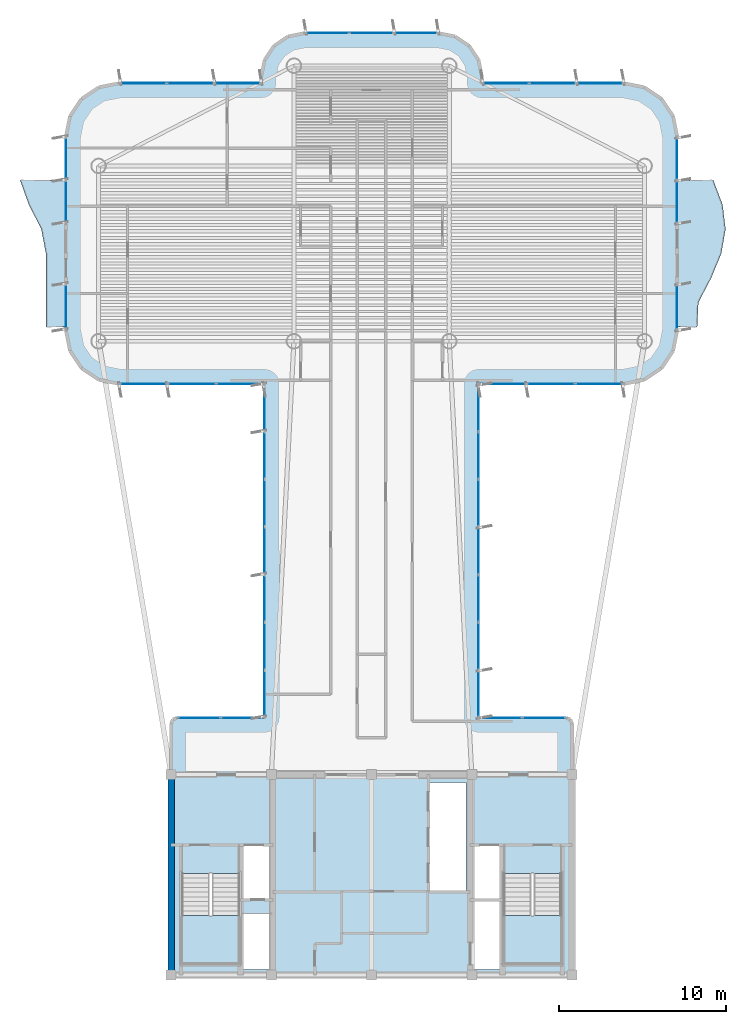
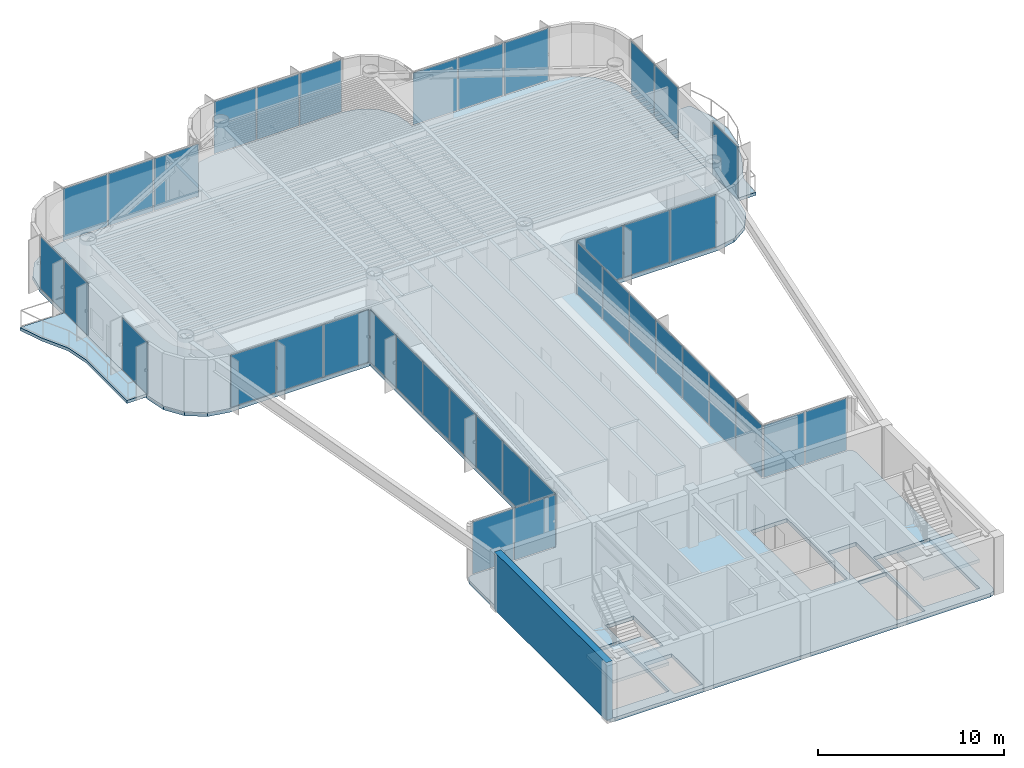
# One storey, part 9 of 15: 39 plates, 5 slabs, 1 wall, 15 elements without a shape of their own.
"""IFC4 building model written with IfcOpenShell, lengths in metres."""

from ifc_helpers import new_model, si_unit, direction, frame, frame_2d, origin, origin_2d, place, context, subcontext, project, spatial, polyline, rectangle, outline, extrude, source, transform, mapped, material, layer, layer_set, type_object, element, aggregate, save


model = new_model("IFC4")

# Units and contexts
model_context = context("Model", 3, precision=1e-05, world=origin(), true_north=direction((0.0, 1.0)))
body_context = subcontext(model_context, "Body", "Model", "MODEL_VIEW")
ifc_project = project(units=[si_unit("LENGTHUNIT", "METRE"), si_unit("AREAUNIT", "SQUARE_METRE"), si_unit("VOLUMEUNIT", "CUBIC_METRE"), si_unit("PLANEANGLEUNIT", "RADIAN"), si_unit("MASSUNIT", "GRAM", prefix="KILO")], contexts=[model_context])

# Site, building, storey
site_placement = place(None, origin())
site = spatial("IfcSite", under=ifc_project, at=site_placement, CompositionType="ELEMENT")
building_placement = place(site_placement, origin())
building = spatial("IfcBuilding", under=site, at=building_placement, Name="Brelvock Crest Care Tower", CompositionType="ELEMENT")
storey_placement = place(building_placement, frame((0.0, 0.0, 272.159912109375)))
storey = spatial("IfcBuildingStorey", under=building, at=storey_placement, Name="L69", CompositionType="ELEMENT", Elevation=272.159912109375)

# Slabs
ifc_material_1 = material(Name="Concrete N50 (50 MPa)", Category="concrete")
ifc_layer_1 = layer(ifc_material_1, 0.22998046875, Name="SLB-FL4")
ifc_layer_set_1 = layer_set([ifc_layer_1], Name="Concrete N50 (50 MPa)")
slab_type_1 = type_object("IfcSlabType", Name="SLB-FL4", PredefinedType="FLOOR", material=ifc_layer_set_1)
slab_1_placement = place(storey_placement, frame((0.0, 0.0, -0.25)))
element("IfcSlab", 1, at=slab_1_placement, inside=storey, type_object=slab_type_1, Name="L69 Main Structural Slab", PredefinedType="FLOOR", context=body_context, shape_type="SweptSolid", body=[
    extrude(outline(polyline([(47.64990234375, 21.39990234375), (42.39990234375, 21.39990234375), (42.39990234375, 41.39990234375), (51.10009765625, 41.39990234375), (52.32470703125, 41.6435546875), (53.36279296875, 42.33740234375), (54.056396484375, 43.37548828125), (54.300048828125, 44.60009765625), (54.300048828125, 56.199951171875), (54.056396484375, 57.424560546875), (53.36279296875, 58.462646484375), (52.32470703125, 59.156494140625), (51.10009765625, 59.39990234375), (42.60009765625, 59.39990234375), (42.60009765625, 59.800048828125), (42.402099609375, 60.794921875), (41.83837890625, 61.638427734375), (40.9951171875, 62.2021484375), (40.0, 62.39990234375), (32.0, 62.39990234375), (31.0048828125, 62.2021484375), (30.16162109375, 61.638427734375), (29.597900390625, 60.794921875), (29.39990234375, 59.800048828125), (29.39990234375, 59.39990234375), (20.89990234375, 59.39990234375), (19.67529296875, 59.156494140625), (18.63720703125, 58.462646484375), (17.943603515625, 57.424560546875), (17.699951171875, 56.199951171875), (17.699951171875, 44.60009765625), (17.943603515625, 43.37548828125), (18.63720703125, 42.33740234375), (19.67529296875, 41.6435546875), (20.89990234375, 41.39990234375), (29.60009765625, 41.39990234375), (29.60009765625, 21.39990234375), (24.35009765625, 21.39990234375), (24.1025390625, 21.297607421875), (24.0, 21.050048828125), (24.0, 6.35009765625), (24.1025390625, 6.1025390625), (24.35009765625, 6.0), (47.64990234375, 6.0), (47.8974609375, 6.1025390625), (48.0, 6.35009765625), (48.0, 21.050048828125), (47.8974609375, 21.297607421875), (47.64990234375, 21.39990234375)]), holes=[polyline([(28.239990234375, 10.580078125), (29.97998046875, 10.580078125), (29.97998046875, 13.739990234375), (28.239990234375, 13.739990234375), (28.239990234375, 10.580078125)]), polyline([(42.02001953125, 10.580078125), (43.760009765625, 10.580078125), (43.760009765625, 13.739990234375), (42.02001953125, 13.739990234375), (42.02001953125, 10.580078125)]), polyline([(28.239990234375, 6.340087890625), (29.97998046875, 6.340087890625), (29.97998046875, 9.64990234375), (28.239990234375, 9.64990234375), (28.239990234375, 6.340087890625)]), polyline([(24.6298828125, 12.080078125), (24.6298828125, 6.699951171875), (28.110107421875, 6.699951171875), (28.110107421875, 12.080078125), (24.6298828125, 12.080078125)]), polyline([(43.889892578125, 12.080078125), (43.889892578125, 6.699951171875), (47.3701171875, 6.699951171875), (47.3701171875, 12.080078125), (43.889892578125, 12.080078125)]), polyline([(42.02001953125, 6.340087890625), (43.760009765625, 6.340087890625), (43.760009765625, 10.5), (42.02001953125, 10.5), (42.02001953125, 6.340087890625)]), polyline([(39.429931640625, 11.030029296875), (41.669921875, 11.030029296875), (41.669921875, 17.52001953125), (39.429931640625, 17.52001953125), (39.429931640625, 11.030029296875)])]), origin(), (0.0, 0.0, 1.0), 0.25),
])
ifc_layer_2 = layer(ifc_material_1, 0.199951171875, Name="SLB-WB2")
ifc_layer_set_2 = layer_set([ifc_layer_2], Name="Concrete N50 (50 MPa)")
slab_type_2 = type_object("IfcSlabType", Name="SLB-WB2", PredefinedType="FLOOR", material=ifc_layer_set_2)
slab_2_placement = place(storey_placement, frame((0.0, 0.0, -0.199951171875)))
element("IfcSlab", 2, at=slab_2_placement, inside=storey, type_object=slab_type_2, Name="L69 W Sinusoidal Wave Balcony Slab", PredefinedType="FLOOR", context=body_context, shape_type="SweptSolid", body=[
    extrude(outline(polyline([(17.699951171875, 53.60009765625), (14.947021484375, 53.60009765625), (15.47509765625, 52.13330078125), (16.220703125, 50.666748046875), (16.5, 49.199951171875), (16.5, 47.7333984375), (16.5, 46.2666015625), (16.5, 44.800048828125), (17.699951171875, 44.800048828125), (17.699951171875, 53.60009765625)])), origin(), (0.0, 0.0, 1.0), 0.199951171875),
])
slab_3_placement = place(storey_placement, frame((0.0, 0.0, -0.199951171875)))
element("IfcSlab", 3, at=slab_3_placement, inside=storey, type_object=slab_type_2, Name="L69 E Sinusoidal Wave Balcony Slab", PredefinedType="FLOOR", context=body_context, shape_type="SweptSolid", body=[
    extrude(outline(polyline([(54.300048828125, 44.800048828125), (55.5, 44.800048828125), (55.5693359375, 46.2666015625), (56.333740234375, 47.7333984375), (56.942138671875, 49.199951171875), (57.197998046875, 50.666748046875), (57.01904296875, 52.13330078125), (56.462890625, 53.60009765625), (54.300048828125, 53.60009765625), (54.300048828125, 44.800048828125)])), origin(), (0.0, 0.0, 1.0), 0.199951171875),
])

# Stair, slab
ifc_material_2 = material(Name="Concrete N40 (40 MPa)", Category="concrete")
stair_type = type_object("IfcStairType", Name="ST-CORE1", PredefinedType="HALF_TURN_STAIR", material=ifc_material_2)
stair_1_placement = place(storey_placement, origin())
stair_1 = element("IfcStair", 4, at=stair_1_placement, inside=storey, type_object=stair_type, Name="L69 Fire-Isolated Core Stair ST-1", PredefinedType="HALF_TURN_STAIR")
ifc_layer_3 = layer(ifc_material_2, 0.199951171875, Name="STL-1")
ifc_layer_set_3 = layer_set([ifc_layer_3], Name="Concrete N40 (40 MPa)")
slab_type_3 = type_object("IfcSlabType", Name="STL-1", PredefinedType="LANDING", material=ifc_layer_set_3)
slab_4_placement = place(storey_placement, frame((0.0, 0.0, 1.690185546875)))
slab_4 = element("IfcSlab", 5, at=slab_4_placement, type_object=slab_type_3, Name="ST-1 landing 1", PredefinedType="LANDING", context=body_context, shape_type="SweptSolid", body=[
    extrude(outline(polyline([(24.6298828125, 9.56005859375), (24.6298828125, 6.699951171875), (28.110107421875, 6.699951171875), (28.110107421875, 9.56005859375), (24.6298828125, 9.56005859375)])), origin(), (0.0, 0.0, 1.0), 0.199951171875),
])
aggregate(stair_1, [slab_4])

stair_2_placement = place(storey_placement, origin())
stair_2 = element("IfcStair", 6, at=stair_2_placement, inside=storey, type_object=stair_type, Name="L69 Fire-Isolated Core Stair ST-2", PredefinedType="HALF_TURN_STAIR")
slab_5_placement = place(storey_placement, frame((0.0, 0.0, 1.690185546875)))
slab_5 = element("IfcSlab", 7, at=slab_5_placement, type_object=slab_type_3, Name="ST-2 landing 1", PredefinedType="LANDING", context=body_context, shape_type="SweptSolid", body=[
    extrude(outline(polyline([(43.889892578125, 9.56005859375), (43.889892578125, 6.699951171875), (47.3701171875, 6.699951171875), (47.3701171875, 9.56005859375), (43.889892578125, 9.56005859375)])), origin(), (0.0, 0.0, 1.0), 0.199951171875),
])
aggregate(stair_2, [slab_5])

# Curtain wall, plates
ifc_material_3 = material(Name="Dark Glass Double Glazed Low-E", Category="glass")
ifc_layer_4 = layer(ifc_material_3, 0.239990234375, Name="CWS-5")
ifc_layer_set_4 = layer_set([ifc_layer_4], Name="Dark Glass Double Glazed Low-E")
curtain_wall_type = type_object("IfcCurtainWallType", Name="CWS-5", PredefinedType="NOTDEFINED", material=ifc_layer_set_4)
curtain_wall_1_placement = place(storey_placement, origin())
curtain_wall_1 = element("IfcCurtainWall", 8, at=curtain_wall_1_placement, inside=storey, type_object=curtain_wall_type, Name="L69 Curtain Wall E10", PredefinedType="NOTDEFINED")
ifc_layer_5 = layer(ifc_material_3, 0.0380859375, Name="CWP-V2")
ifc_layer_set_5 = layer_set([ifc_layer_5], Name="Dark Glass Double Glazed Low-E")
plate_type = type_object("IfcPlateType", Name="CWP-V2", PredefinedType="CURTAIN_PANEL", material=ifc_layer_set_5)
shared_shape_1 = source(origin(), body_context, "Body", "SweptSolid", [
    extrude(rectangle(XDim=2.534912109375, YDim=0.035888671875, at=origin_2d()), origin(), (0.0, 0.0, 1.0), 3.409912109375),
])
plate_1_placement = place(storey_placement, frame((25.677490234375, 21.39990234375, 0.06005859375), z_axis=(0.0, 0.0, 1.0), x_axis=(1.0, 0.0, 0.0)))
plate_1 = element("IfcPlate", 9, at=plate_1_placement, type_object=plate_type, Name="CW-5 panel 1.1", PredefinedType="CURTAIN_PANEL", context=body_context, shape_type="MappedRepresentation", body=[
    mapped(shared_shape_1, transform((0.0, 0.0, 0.0), x_axis=(1.0, 0.0, 0.0), y_axis=(0.0, 1.0, 0.0), z_axis=(0.0, 0.0, 1.0), scale=1.0)),
])
plate_2_placement = place(storey_placement, frame((28.2724609375, 21.39990234375, 0.06005859375), z_axis=(0.0, 0.0, 1.0), x_axis=(1.0, 0.0, 0.0)))
plate_2 = element("IfcPlate", 10, at=plate_2_placement, type_object=plate_type, Name="CW-5 panel 2.1", PredefinedType="CURTAIN_PANEL", context=body_context, shape_type="MappedRepresentation", body=[
    mapped(shared_shape_1, transform((0.0, 0.0, 0.0), x_axis=(1.0, 0.0, 0.0), y_axis=(0.0, 1.0, 0.0), z_axis=(0.0, 0.0, 1.0), scale=1.0)),
])
aggregate(curtain_wall_1, [plate_1, plate_2])

curtain_wall_2_placement = place(storey_placement, origin())
curtain_wall_2 = element("IfcCurtainWall", 11, at=curtain_wall_2_placement, inside=storey, type_object=curtain_wall_type, Name="L69 Curtain Wall E46", PredefinedType="NOTDEFINED")
plate_3_placement = place(storey_placement, frame((43.7275390625, 21.39990234375, 0.06005859375), z_axis=(0.0, 0.0, 1.0), x_axis=(1.0, 0.0, 0.0)))
plate_3 = element("IfcPlate", 12, at=plate_3_placement, type_object=plate_type, Name="CW-5 panel 1.1", PredefinedType="CURTAIN_PANEL", context=body_context, shape_type="MappedRepresentation", body=[
    mapped(shared_shape_1, transform((0.0, 0.0, 0.0), x_axis=(1.0, 0.0, 0.0), y_axis=(0.0, 1.0, 0.0), z_axis=(0.0, 0.0, 1.0), scale=1.0)),
])
plate_4_placement = place(storey_placement, frame((46.322509765625, 21.39990234375, 0.06005859375), z_axis=(0.0, 0.0, 1.0), x_axis=(1.0, 0.0, 0.0)))
plate_4 = element("IfcPlate", 13, at=plate_4_placement, type_object=plate_type, Name="CW-5 panel 2.1", PredefinedType="CURTAIN_PANEL", context=body_context, shape_type="MappedRepresentation", body=[
    mapped(shared_shape_1, transform((0.0, 0.0, 0.0), x_axis=(1.0, 0.0, 0.0), y_axis=(0.0, 1.0, 0.0), z_axis=(0.0, 0.0, 1.0), scale=1.0)),
])
aggregate(curtain_wall_2, [plate_3, plate_4])

curtain_wall_3_placement = place(storey_placement, origin())
curtain_wall_3 = element("IfcCurtainWall", 14, at=curtain_wall_3_placement, inside=storey, type_object=curtain_wall_type, Name="L69 Curtain Wall E17B", PredefinedType="NOTDEFINED")
shared_shape_2 = source(origin(), body_context, "Body", "SweptSolid", [
    extrude(rectangle(XDim=2.510009765625, YDim=0.035888671875, at=origin_2d()), origin(), (0.0, 0.0, 1.0), 3.409912109375),
])
plate_5_placement = place(storey_placement, frame((17.699951171875, 52.31494140625, 0.06005859375), z_axis=(0.0, 0.0, 1.0), x_axis=(0.0, 1.0, 0.0)))
plate_5 = element("IfcPlate", 15, at=plate_5_placement, type_object=plate_type, Name="CW-5 panel 1.1", PredefinedType="CURTAIN_PANEL", context=body_context, shape_type="MappedRepresentation", body=[
    mapped(shared_shape_2, transform((0.0, 0.0, 0.0), x_axis=(1.0, 0.0, 0.0), y_axis=(0.0, 1.0, 0.0), z_axis=(0.0, 0.0, 1.0), scale=1.0)),
])
plate_6_placement = place(storey_placement, frame((17.699951171875, 54.885009765625, 0.06005859375), z_axis=(0.0, 0.0, 1.0), x_axis=(0.0, 1.0, 0.0)))
plate_6 = element("IfcPlate", 16, at=plate_6_placement, type_object=plate_type, Name="CW-5 panel 2.1", PredefinedType="CURTAIN_PANEL", context=body_context, shape_type="MappedRepresentation", body=[
    mapped(shared_shape_2, transform((0.0, 0.0, 0.0), x_axis=(1.0, 0.0, 0.0), y_axis=(0.0, 1.0, 0.0), z_axis=(0.0, 0.0, 1.0), scale=1.0)),
])
aggregate(curtain_wall_3, [plate_5, plate_6])

curtain_wall_4_placement = place(storey_placement, origin())
curtain_wall_4 = element("IfcCurtainWall", 17, at=curtain_wall_4_placement, inside=storey, type_object=curtain_wall_type, Name="L69 Curtain Wall E39A", PredefinedType="NOTDEFINED")
plate_7_placement = place(storey_placement, frame((54.300048828125, 54.885009765625, 0.06005859375), z_axis=(0.0, 0.0, 1.0), x_axis=(0.0, -1.0, 0.0)))
plate_7 = element("IfcPlate", 18, at=plate_7_placement, type_object=plate_type, Name="CW-5 panel 1.1", PredefinedType="CURTAIN_PANEL", context=body_context, shape_type="MappedRepresentation", body=[
    mapped(shared_shape_2, transform((0.0, 0.0, 0.0), x_axis=(1.0, 0.0, 0.0), y_axis=(0.0, 1.0, 0.0), z_axis=(0.0, 0.0, 1.0), scale=1.0)),
])
plate_8_placement = place(storey_placement, frame((54.300048828125, 52.31494140625, 0.06005859375), z_axis=(0.0, 0.0, 1.0), x_axis=(0.0, -1.0, 0.0)))
plate_8 = element("IfcPlate", 19, at=plate_8_placement, type_object=plate_type, Name="CW-5 panel 2.1", PredefinedType="CURTAIN_PANEL", context=body_context, shape_type="MappedRepresentation", body=[
    mapped(shared_shape_2, transform((0.0, 0.0, 0.0), x_axis=(1.0, 0.0, 0.0), y_axis=(0.0, 1.0, 0.0), z_axis=(0.0, 0.0, 1.0), scale=1.0)),
])
aggregate(curtain_wall_4, [plate_7, plate_8])

curtain_wall_5_placement = place(storey_placement, origin())
curtain_wall_5 = element("IfcCurtainWall", 20, at=curtain_wall_5_placement, inside=storey, type_object=curtain_wall_type, Name="L69 Curtain Wall E11", PredefinedType="NOTDEFINED")
shared_shape_3 = source(origin(), body_context, "Body", "SweptSolid", [
    extrude(rectangle(XDim=2.76708984375, YDim=0.035888671875, at=origin_2d()), origin(), (0.0, 0.0, 1.0), 3.409912109375),
])
plate_9_placement = place(storey_placement, frame((29.60009765625, 22.843505859375, 0.06005859375), z_axis=(0.0, 0.0, 1.0), x_axis=(0.0, 1.0, 0.0)))
plate_9 = element("IfcPlate", 21, at=plate_9_placement, type_object=plate_type, Name="CW-5 panel 1.1", PredefinedType="CURTAIN_PANEL", context=body_context, shape_type="MappedRepresentation", body=[
    mapped(shared_shape_3, transform((0.0, 0.0, 0.0), x_axis=(1.0, 0.0, 0.0), y_axis=(0.0, 1.0, 0.0), z_axis=(0.0, 0.0, 1.0), scale=1.0)),
])
plate_10_placement = place(storey_placement, frame((29.60009765625, 39.95654296875, 0.06005859375), z_axis=(0.0, 0.0, 1.0), x_axis=(0.0, 1.0, 0.0)))
plate_10 = element("IfcPlate", 22, at=plate_10_placement, type_object=plate_type, Name="CW-5 panel 7.1", PredefinedType="CURTAIN_PANEL", context=body_context, shape_type="MappedRepresentation", body=[
    mapped(shared_shape_3, transform((0.0, 0.0, 0.0), x_axis=(1.0, 0.0, 0.0), y_axis=(0.0, 1.0, 0.0), z_axis=(0.0, 0.0, 1.0), scale=1.0)),
])

curtain_wall_6_placement = place(storey_placement, origin())
curtain_wall_6 = element("IfcCurtainWall", 23, at=curtain_wall_6_placement, inside=storey, type_object=curtain_wall_type, Name="L69 Curtain Wall E45", PredefinedType="NOTDEFINED")
plate_11_placement = place(storey_placement, frame((42.39990234375, 39.95654296875, 0.06005859375), z_axis=(0.0, 0.0, 1.0), x_axis=(0.0, -1.0, 0.0)))
plate_11 = element("IfcPlate", 24, at=plate_11_placement, type_object=plate_type, Name="CW-5 panel 1.1", PredefinedType="CURTAIN_PANEL", context=body_context, shape_type="MappedRepresentation", body=[
    mapped(shared_shape_3, transform((0.0, 0.0, 0.0), x_axis=(1.0, 0.0, 0.0), y_axis=(0.0, 1.0, 0.0), z_axis=(0.0, 0.0, 1.0), scale=1.0)),
])
plate_12_placement = place(storey_placement, frame((42.39990234375, 22.843505859375, 0.06005859375), z_axis=(0.0, 0.0, 1.0), x_axis=(0.0, -1.0, 0.0)))
plate_12 = element("IfcPlate", 25, at=plate_12_placement, type_object=plate_type, Name="CW-5 panel 7.1", PredefinedType="CURTAIN_PANEL", context=body_context, shape_type="MappedRepresentation", body=[
    mapped(shared_shape_3, transform((0.0, 0.0, 0.0), x_axis=(1.0, 0.0, 0.0), y_axis=(0.0, 1.0, 0.0), z_axis=(0.0, 0.0, 1.0), scale=1.0)),
])

# Plate
shared_shape_4 = source(origin(), body_context, "Body", "SweptSolid", [
    extrude(rectangle(XDim=2.797119140625, YDim=0.035888671875, at=origin_2d()), origin(), (0.0, 0.0, 1.0), 3.409912109375),
])
plate_13_placement = place(storey_placement, frame((29.60009765625, 25.685791015625, 0.06005859375), z_axis=(0.0, 0.0, 1.0), x_axis=(0.0, 1.0, 0.0)))
plate_13 = element("IfcPlate", 26, at=plate_13_placement, type_object=plate_type, Name="CW-5 panel 2.1", PredefinedType="CURTAIN_PANEL", context=body_context, shape_type="MappedRepresentation", body=[
    mapped(shared_shape_4, transform((0.0, 0.0, 0.0), x_axis=(1.0, 0.0, 0.0), y_axis=(0.0, 1.0, 0.0), z_axis=(0.0, 0.0, 1.0), scale=1.0)),
])

plate_14_placement = place(storey_placement, frame((29.60009765625, 28.54296875, 0.06005859375), z_axis=(0.0, 0.0, 1.0), x_axis=(0.0, 1.0, 0.0)))
plate_14 = element("IfcPlate", 27, at=plate_14_placement, type_object=plate_type, Name="CW-5 panel 3.1", PredefinedType="CURTAIN_PANEL", context=body_context, shape_type="MappedRepresentation", body=[
    mapped(shared_shape_4, transform((0.0, 0.0, 0.0), x_axis=(1.0, 0.0, 0.0), y_axis=(0.0, 1.0, 0.0), z_axis=(0.0, 0.0, 1.0), scale=1.0)),
])

plate_15_placement = place(storey_placement, frame((29.60009765625, 31.39990234375, 0.06005859375), z_axis=(0.0, 0.0, 1.0), x_axis=(0.0, 1.0, 0.0)))
plate_15 = element("IfcPlate", 28, at=plate_15_placement, type_object=plate_type, Name="CW-5 panel 4.1", PredefinedType="CURTAIN_PANEL", context=body_context, shape_type="MappedRepresentation", body=[
    mapped(shared_shape_4, transform((0.0, 0.0, 0.0), x_axis=(1.0, 0.0, 0.0), y_axis=(0.0, 1.0, 0.0), z_axis=(0.0, 0.0, 1.0), scale=1.0)),
])

plate_16_placement = place(storey_placement, frame((29.60009765625, 34.257080078125, 0.06005859375), z_axis=(0.0, 0.0, 1.0), x_axis=(0.0, 1.0, 0.0)))
plate_16 = element("IfcPlate", 29, at=plate_16_placement, type_object=plate_type, Name="CW-5 panel 5.1", PredefinedType="CURTAIN_PANEL", context=body_context, shape_type="MappedRepresentation", body=[
    mapped(shared_shape_4, transform((0.0, 0.0, 0.0), x_axis=(1.0, 0.0, 0.0), y_axis=(0.0, 1.0, 0.0), z_axis=(0.0, 0.0, 1.0), scale=1.0)),
])

plate_17_placement = place(storey_placement, frame((29.60009765625, 37.1142578125, 0.06005859375), z_axis=(0.0, 0.0, 1.0), x_axis=(0.0, 1.0, 0.0)))
plate_17 = element("IfcPlate", 30, at=plate_17_placement, type_object=plate_type, Name="CW-5 panel 6.1", PredefinedType="CURTAIN_PANEL", context=body_context, shape_type="MappedRepresentation", body=[
    mapped(shared_shape_4, transform((0.0, 0.0, 0.0), x_axis=(1.0, 0.0, 0.0), y_axis=(0.0, 1.0, 0.0), z_axis=(0.0, 0.0, 1.0), scale=1.0)),
])

aggregate(curtain_wall_5, [plate_9, plate_13, plate_14, plate_15, plate_16, plate_17, plate_10])

plate_18_placement = place(storey_placement, frame((42.39990234375, 37.1142578125, 0.06005859375), z_axis=(0.0, 0.0, 1.0), x_axis=(0.0, -1.0, 0.0)))
plate_18 = element("IfcPlate", 31, at=plate_18_placement, type_object=plate_type, Name="CW-5 panel 2.1", PredefinedType="CURTAIN_PANEL", context=body_context, shape_type="MappedRepresentation", body=[
    mapped(shared_shape_4, transform((0.0, 0.0, 0.0), x_axis=(1.0, 0.0, 0.0), y_axis=(0.0, 1.0, 0.0), z_axis=(0.0, 0.0, 1.0), scale=1.0)),
])

plate_19_placement = place(storey_placement, frame((42.39990234375, 34.257080078125, 0.06005859375), z_axis=(0.0, 0.0, 1.0), x_axis=(0.0, -1.0, 0.0)))
plate_19 = element("IfcPlate", 32, at=plate_19_placement, type_object=plate_type, Name="CW-5 panel 3.1", PredefinedType="CURTAIN_PANEL", context=body_context, shape_type="MappedRepresentation", body=[
    mapped(shared_shape_4, transform((0.0, 0.0, 0.0), x_axis=(1.0, 0.0, 0.0), y_axis=(0.0, 1.0, 0.0), z_axis=(0.0, 0.0, 1.0), scale=1.0)),
])

plate_20_placement = place(storey_placement, frame((42.39990234375, 31.39990234375, 0.06005859375), z_axis=(0.0, 0.0, 1.0), x_axis=(0.0, -1.0, 0.0)))
plate_20 = element("IfcPlate", 33, at=plate_20_placement, type_object=plate_type, Name="CW-5 panel 4.1", PredefinedType="CURTAIN_PANEL", context=body_context, shape_type="MappedRepresentation", body=[
    mapped(shared_shape_4, transform((0.0, 0.0, 0.0), x_axis=(1.0, 0.0, 0.0), y_axis=(0.0, 1.0, 0.0), z_axis=(0.0, 0.0, 1.0), scale=1.0)),
])

plate_21_placement = place(storey_placement, frame((42.39990234375, 28.54296875, 0.06005859375), z_axis=(0.0, 0.0, 1.0), x_axis=(0.0, -1.0, 0.0)))
plate_21 = element("IfcPlate", 34, at=plate_21_placement, type_object=plate_type, Name="CW-5 panel 5.1", PredefinedType="CURTAIN_PANEL", context=body_context, shape_type="MappedRepresentation", body=[
    mapped(shared_shape_4, transform((0.0, 0.0, 0.0), x_axis=(1.0, 0.0, 0.0), y_axis=(0.0, 1.0, 0.0), z_axis=(0.0, 0.0, 1.0), scale=1.0)),
])

plate_22_placement = place(storey_placement, frame((42.39990234375, 25.685791015625, 0.06005859375), z_axis=(0.0, 0.0, 1.0), x_axis=(0.0, -1.0, 0.0)))
plate_22 = element("IfcPlate", 35, at=plate_22_placement, type_object=plate_type, Name="CW-5 panel 6.1", PredefinedType="CURTAIN_PANEL", context=body_context, shape_type="MappedRepresentation", body=[
    mapped(shared_shape_4, transform((0.0, 0.0, 0.0), x_axis=(1.0, 0.0, 0.0), y_axis=(0.0, 1.0, 0.0), z_axis=(0.0, 0.0, 1.0), scale=1.0)),
])

aggregate(curtain_wall_6, [plate_11, plate_18, plate_19, plate_20, plate_21, plate_22, plate_12])

# Curtain wall, plates
curtain_wall_7_placement = place(storey_placement, origin())
curtain_wall_7 = element("IfcCurtainWall", 36, at=curtain_wall_7_placement, inside=storey, type_object=curtain_wall_type, Name="L69 Curtain Wall E12", PredefinedType="NOTDEFINED")
shared_shape_5 = source(origin(), body_context, "Body", "SweptSolid", [
    extrude(rectangle(XDim=2.81005859375, YDim=0.035888671875, at=origin_2d()), origin(), (0.0, 0.0, 1.0), 3.409912109375),
])
plate_23_placement = place(storey_placement, frame((28.135009765625, 41.39990234375, 0.06005859375), z_axis=(0.0, 0.0, 1.0), x_axis=(-1.0, 0.0, 0.0)))
plate_23 = element("IfcPlate", 37, at=plate_23_placement, type_object=plate_type, Name="CW-5 panel 1.1", PredefinedType="CURTAIN_PANEL", context=body_context, shape_type="MappedRepresentation", body=[
    mapped(shared_shape_5, transform((0.0, 0.0, 0.0), x_axis=(1.0, 0.0, 0.0), y_axis=(0.0, 1.0, 0.0), z_axis=(0.0, 0.0, 1.0), scale=1.0)),
])
plate_24_placement = place(storey_placement, frame((22.364990234375, 41.39990234375, 0.06005859375), z_axis=(0.0, 0.0, 1.0), x_axis=(-1.0, 0.0, 0.0)))
plate_24 = element("IfcPlate", 38, at=plate_24_placement, type_object=plate_type, Name="CW-5 panel 3.1", PredefinedType="CURTAIN_PANEL", context=body_context, shape_type="MappedRepresentation", body=[
    mapped(shared_shape_5, transform((0.0, 0.0, 0.0), x_axis=(1.0, 0.0, 0.0), y_axis=(0.0, 1.0, 0.0), z_axis=(0.0, 0.0, 1.0), scale=1.0)),
])

curtain_wall_8_placement = place(storey_placement, origin())
curtain_wall_8 = element("IfcCurtainWall", 39, at=curtain_wall_8_placement, inside=storey, type_object=curtain_wall_type, Name="L69 Curtain Wall E44", PredefinedType="NOTDEFINED")
plate_25_placement = place(storey_placement, frame((49.635009765625, 41.39990234375, 0.06005859375), z_axis=(0.0, 0.0, 1.0), x_axis=(-1.0, 0.0, 0.0)))
plate_25 = element("IfcPlate", 40, at=plate_25_placement, type_object=plate_type, Name="CW-5 panel 1.1", PredefinedType="CURTAIN_PANEL", context=body_context, shape_type="MappedRepresentation", body=[
    mapped(shared_shape_5, transform((0.0, 0.0, 0.0), x_axis=(1.0, 0.0, 0.0), y_axis=(0.0, 1.0, 0.0), z_axis=(0.0, 0.0, 1.0), scale=1.0)),
])
plate_26_placement = place(storey_placement, frame((43.864990234375, 41.39990234375, 0.06005859375), z_axis=(0.0, 0.0, 1.0), x_axis=(-1.0, 0.0, 0.0)))
plate_26 = element("IfcPlate", 41, at=plate_26_placement, type_object=plate_type, Name="CW-5 panel 3.1", PredefinedType="CURTAIN_PANEL", context=body_context, shape_type="MappedRepresentation", body=[
    mapped(shared_shape_5, transform((0.0, 0.0, 0.0), x_axis=(1.0, 0.0, 0.0), y_axis=(0.0, 1.0, 0.0), z_axis=(0.0, 0.0, 1.0), scale=1.0)),
])

# Plate
shared_shape_6 = source(origin(), body_context, "Body", "SweptSolid", [
    extrude(rectangle(XDim=2.840087890625, YDim=0.035888671875, at=origin_2d()), origin(), (0.0, 0.0, 1.0), 3.409912109375),
])
plate_27_placement = place(storey_placement, frame((25.25, 41.39990234375, 0.06005859375), z_axis=(0.0, 0.0, 1.0), x_axis=(-1.0, 0.0, 0.0)))
plate_27 = element("IfcPlate", 42, at=plate_27_placement, type_object=plate_type, Name="CW-5 panel 2.1", PredefinedType="CURTAIN_PANEL", context=body_context, shape_type="MappedRepresentation", body=[
    mapped(shared_shape_6, transform((0.0, 0.0, 0.0), x_axis=(1.0, 0.0, 0.0), y_axis=(0.0, 1.0, 0.0), z_axis=(0.0, 0.0, 1.0), scale=1.0)),
])

aggregate(curtain_wall_7, [plate_23, plate_27, plate_24])

plate_28_placement = place(storey_placement, frame((46.75, 41.39990234375, 0.06005859375), z_axis=(0.0, 0.0, 1.0), x_axis=(-1.0, 0.0, 0.0)))
plate_28 = element("IfcPlate", 43, at=plate_28_placement, type_object=plate_type, Name="CW-5 panel 2.1", PredefinedType="CURTAIN_PANEL", context=body_context, shape_type="MappedRepresentation", body=[
    mapped(shared_shape_6, transform((0.0, 0.0, 0.0), x_axis=(1.0, 0.0, 0.0), y_axis=(0.0, 1.0, 0.0), z_axis=(0.0, 0.0, 1.0), scale=1.0)),
])

aggregate(curtain_wall_8, [plate_25, plate_28, plate_26])

# Curtain wall, plates
curtain_wall_9_placement = place(storey_placement, origin())
curtain_wall_9 = element("IfcCurtainWall", 44, at=curtain_wall_9_placement, inside=storey, type_object=curtain_wall_type, Name="L69 Curtain Wall E22", PredefinedType="NOTDEFINED")
shared_shape_7 = source(origin(), body_context, "Body", "SweptSolid", [
    extrude(rectangle(XDim=2.743408203125, YDim=0.035888671875, at=origin_2d()), origin(), (0.0, 0.0, 1.0), 3.409912109375),
])
plate_29_placement = place(storey_placement, frame((22.331787109375, 59.39990234375, 0.06005859375), z_axis=(0.0, 0.0, 1.0), x_axis=(1.0, 0.0, 0.0)))
plate_29 = element("IfcPlate", 45, at=plate_29_placement, type_object=plate_type, Name="CW-5 panel 1.1", PredefinedType="CURTAIN_PANEL", context=body_context, shape_type="MappedRepresentation", body=[
    mapped(shared_shape_7, transform((0.0, 0.0, 0.0), x_axis=(1.0, 0.0, 0.0), y_axis=(0.0, 1.0, 0.0), z_axis=(0.0, 0.0, 1.0), scale=1.0)),
])
plate_30_placement = place(storey_placement, frame((27.96826171875, 59.39990234375, 0.06005859375), z_axis=(0.0, 0.0, 1.0), x_axis=(1.0, 0.0, 0.0)))
plate_30 = element("IfcPlate", 46, at=plate_30_placement, type_object=plate_type, Name="CW-5 panel 3.1", PredefinedType="CURTAIN_PANEL", context=body_context, shape_type="MappedRepresentation", body=[
    mapped(shared_shape_7, transform((0.0, 0.0, 0.0), x_axis=(1.0, 0.0, 0.0), y_axis=(0.0, 1.0, 0.0), z_axis=(0.0, 0.0, 1.0), scale=1.0)),
])

curtain_wall_10_placement = place(storey_placement, origin())
curtain_wall_10 = element("IfcCurtainWall", 47, at=curtain_wall_10_placement, inside=storey, type_object=curtain_wall_type, Name="L69 Curtain Wall E34", PredefinedType="NOTDEFINED")
plate_31_placement = place(storey_placement, frame((44.03173828125, 59.39990234375, 0.06005859375), z_axis=(0.0, 0.0, 1.0), x_axis=(1.0, 0.0, 0.0)))
plate_31 = element("IfcPlate", 48, at=plate_31_placement, type_object=plate_type, Name="CW-5 panel 1.1", PredefinedType="CURTAIN_PANEL", context=body_context, shape_type="MappedRepresentation", body=[
    mapped(shared_shape_7, transform((0.0, 0.0, 0.0), x_axis=(1.0, 0.0, 0.0), y_axis=(0.0, 1.0, 0.0), z_axis=(0.0, 0.0, 1.0), scale=1.0)),
])
plate_32_placement = place(storey_placement, frame((49.668212890625, 59.39990234375, 0.06005859375), z_axis=(0.0, 0.0, 1.0), x_axis=(1.0, 0.0, 0.0)))
plate_32 = element("IfcPlate", 49, at=plate_32_placement, type_object=plate_type, Name="CW-5 panel 3.1", PredefinedType="CURTAIN_PANEL", context=body_context, shape_type="MappedRepresentation", body=[
    mapped(shared_shape_7, transform((0.0, 0.0, 0.0), x_axis=(1.0, 0.0, 0.0), y_axis=(0.0, 1.0, 0.0), z_axis=(0.0, 0.0, 1.0), scale=1.0)),
])

# Plate
shared_shape_8 = source(origin(), body_context, "Body", "SweptSolid", [
    extrude(rectangle(XDim=2.7734375, YDim=0.035888671875, at=origin_2d()), origin(), (0.0, 0.0, 1.0), 3.409912109375),
])
plate_33_placement = place(storey_placement, frame((25.14990234375, 59.39990234375, 0.06005859375), z_axis=(0.0, 0.0, 1.0), x_axis=(1.0, 0.0, 0.0)))
plate_33 = element("IfcPlate", 50, at=plate_33_placement, type_object=plate_type, Name="CW-5 panel 2.1", PredefinedType="CURTAIN_PANEL", context=body_context, shape_type="MappedRepresentation", body=[
    mapped(shared_shape_8, transform((0.0, 0.0, 0.0), x_axis=(1.0, 0.0, 0.0), y_axis=(0.0, 1.0, 0.0), z_axis=(0.0, 0.0, 1.0), scale=1.0)),
])

aggregate(curtain_wall_9, [plate_29, plate_33, plate_30])

plate_34_placement = place(storey_placement, frame((46.85009765625, 59.39990234375, 0.06005859375), z_axis=(0.0, 0.0, 1.0), x_axis=(1.0, 0.0, 0.0)))
plate_34 = element("IfcPlate", 51, at=plate_34_placement, type_object=plate_type, Name="CW-5 panel 2.1", PredefinedType="CURTAIN_PANEL", context=body_context, shape_type="MappedRepresentation", body=[
    mapped(shared_shape_8, transform((0.0, 0.0, 0.0), x_axis=(1.0, 0.0, 0.0), y_axis=(0.0, 1.0, 0.0), z_axis=(0.0, 0.0, 1.0), scale=1.0)),
])

aggregate(curtain_wall_10, [plate_31, plate_34, plate_32])

# Curtain wall, plates
curtain_wall_11_placement = place(storey_placement, origin())
curtain_wall_11 = element("IfcCurtainWall", 52, at=curtain_wall_11_placement, inside=storey, type_object=curtain_wall_type, Name="L69 Curtain Wall E28", PredefinedType="NOTDEFINED")
shared_shape_9 = source(origin(), body_context, "Body", "SweptSolid", [
    extrude(rectangle(XDim=2.57666015625, YDim=0.035888671875, at=origin_2d()), origin(), (0.0, 0.0, 1.0), 3.409912109375),
])
plate_35_placement = place(storey_placement, frame((33.348388671875, 62.39990234375, 0.06005859375), z_axis=(0.0, 0.0, 1.0), x_axis=(1.0, 0.0, 0.0)))
plate_35 = element("IfcPlate", 53, at=plate_35_placement, type_object=plate_type, Name="CW-5 panel 1.1", PredefinedType="CURTAIN_PANEL", context=body_context, shape_type="MappedRepresentation", body=[
    mapped(shared_shape_9, transform((0.0, 0.0, 0.0), x_axis=(1.0, 0.0, 0.0), y_axis=(0.0, 1.0, 0.0), z_axis=(0.0, 0.0, 1.0), scale=1.0)),
])
plate_36_placement = place(storey_placement, frame((38.651611328125, 62.39990234375, 0.06005859375), z_axis=(0.0, 0.0, 1.0), x_axis=(1.0, 0.0, 0.0)))
plate_36 = element("IfcPlate", 54, at=plate_36_placement, type_object=plate_type, Name="CW-5 panel 3.1", PredefinedType="CURTAIN_PANEL", context=body_context, shape_type="MappedRepresentation", body=[
    mapped(shared_shape_9, transform((0.0, 0.0, 0.0), x_axis=(1.0, 0.0, 0.0), y_axis=(0.0, 1.0, 0.0), z_axis=(0.0, 0.0, 1.0), scale=1.0)),
])
shared_shape_10 = source(origin(), body_context, "Body", "SweptSolid", [
    extrude(rectangle(XDim=2.606689453125, YDim=0.035888671875, at=origin_2d()), origin(), (0.0, 0.0, 1.0), 3.409912109375),
])
plate_37_placement = place(storey_placement, frame((36.0, 62.39990234375, 0.06005859375), z_axis=(0.0, 0.0, 1.0), x_axis=(1.0, 0.0, 0.0)))
plate_37 = element("IfcPlate", 55, at=plate_37_placement, type_object=plate_type, Name="CW-5 panel 2.1", PredefinedType="CURTAIN_PANEL", context=body_context, shape_type="MappedRepresentation", body=[
    mapped(shared_shape_10, transform((0.0, 0.0, 0.0), x_axis=(1.0, 0.0, 0.0), y_axis=(0.0, 1.0, 0.0), z_axis=(0.0, 0.0, 1.0), scale=1.0)),
])
aggregate(curtain_wall_11, [plate_35, plate_37, plate_36])

# Curtain wall, plate
curtain_wall_12_placement = place(storey_placement, origin())
curtain_wall_12 = element("IfcCurtainWall", 56, at=curtain_wall_12_placement, inside=storey, type_object=curtain_wall_type, Name="L69 Curtain Wall E17A", PredefinedType="NOTDEFINED")
shared_shape_11 = source(origin(), body_context, "Body", "SweptSolid", [
    extrude(rectangle(XDim=2.679931640625, YDim=0.035888671875, at=origin_2d()), origin(), (0.0, 0.0, 1.0), 3.409912109375),
])
plate_38_placement = place(storey_placement, frame((17.699951171875, 46.0, 0.06005859375), z_axis=(0.0, 0.0, 1.0), x_axis=(0.0, 1.0, 0.0)))
plate_38 = element("IfcPlate", 57, at=plate_38_placement, type_object=plate_type, Name="CW-5 panel 1.1", PredefinedType="CURTAIN_PANEL", context=body_context, shape_type="MappedRepresentation", body=[
    mapped(shared_shape_11, transform((0.0, 0.0, 0.0), x_axis=(1.0, 0.0, 0.0), y_axis=(0.0, 1.0, 0.0), z_axis=(0.0, 0.0, 1.0), scale=1.0)),
])
aggregate(curtain_wall_12, [plate_38])

curtain_wall_13_placement = place(storey_placement, origin())
curtain_wall_13 = element("IfcCurtainWall", 58, at=curtain_wall_13_placement, inside=storey, type_object=curtain_wall_type, Name="L69 Curtain Wall E39B", PredefinedType="NOTDEFINED")
plate_39_placement = place(storey_placement, frame((54.300048828125, 46.0, 0.06005859375), z_axis=(0.0, 0.0, 1.0), x_axis=(0.0, -1.0, 0.0)))
plate_39 = element("IfcPlate", 59, at=plate_39_placement, type_object=plate_type, Name="CW-5 panel 1.1", PredefinedType="CURTAIN_PANEL", context=body_context, shape_type="MappedRepresentation", body=[
    mapped(shared_shape_11, transform((0.0, 0.0, 0.0), x_axis=(1.0, 0.0, 0.0), y_axis=(0.0, 1.0, 0.0), z_axis=(0.0, 0.0, 1.0), scale=1.0)),
])
aggregate(curtain_wall_13, [plate_39])

# Wall
ifc_material_4 = material(Name="Concrete S65 (65 MPa)", Category="concrete")
ifc_layer_6 = layer(ifc_material_4, 0.39990234375, Name="WL-CS4")
ifc_layer_set_6 = layer_set([ifc_layer_6], Name="Concrete S65 (65 MPa)")
wall_type = type_object("IfcWallType", Name="WL-CS4", PredefinedType="SHEAR", material=ifc_layer_set_6)
wall_placement = place(storey_placement, frame((24.0, 6.0, 0.0), z_axis=(0.0, 0.0, 1.0), x_axis=(0.0, 1.0, 0.0)))
element("IfcWall", 60, at=wall_placement, inside=storey, type_object=wall_type, Name="L69 Core West Shear Wall", PredefinedType="SHEAR", context=body_context, shape_type="SweptSolid", body=[
    extrude(rectangle(XDim=12.0, YDim=0.39990234375, at=frame_2d((6.0, 0.0))), origin(), (0.0, 0.0, 1.0), 3.780029296875),
])

save(model, "model.ifc")
